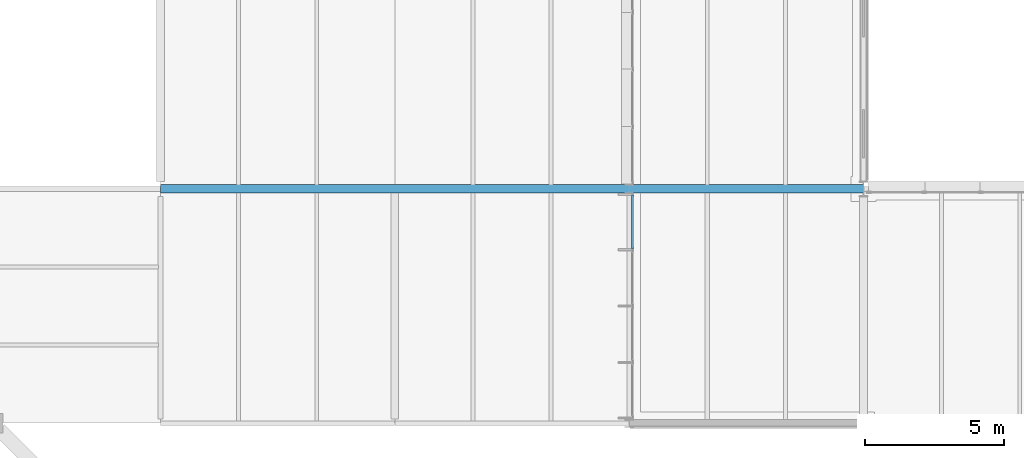
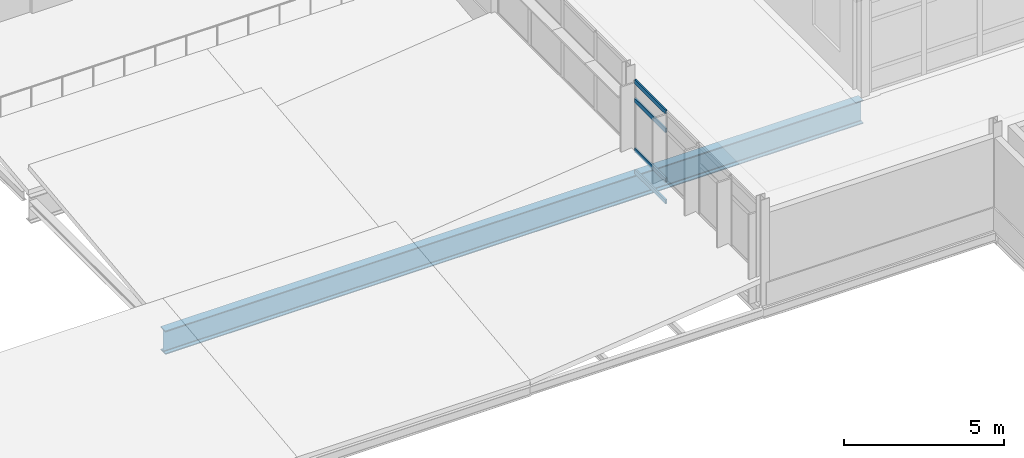
# One storey, part 22 of 131: 4 members, 1 beam, 1 element without a shape of its own.
"""IFC4 building model written with IfcOpenShell, lengths in metres."""

from ifc_helpers import new_model, si_unit, direction, frame, origin, origin_2d, place, context, subcontext, project, spatial, hollow_rectangle, i_section, extrude, material, material_profile, profile_set, type_object, element, aggregate, save


model = new_model("IFC4")

# Units and contexts
model_context = context("Model", 3, precision=1e-05, world=origin(), true_north=direction((0.0, 1.0)))
body_context = subcontext(model_context, "Body", "Model", "MODEL_VIEW")
ifc_project = project(units=[si_unit("LENGTHUNIT", "METRE"), si_unit("AREAUNIT", "SQUARE_METRE"), si_unit("VOLUMEUNIT", "CUBIC_METRE"), si_unit("PLANEANGLEUNIT", "RADIAN"), si_unit("MASSUNIT", "GRAM", prefix="KILO")], contexts=[model_context])

# Site, building, storey
site_placement = place(None, origin())
site = spatial("IfcSite", under=ifc_project, at=site_placement, CompositionType="ELEMENT")
building_placement = place(site_placement, origin())
building = spatial("IfcBuilding", under=site, at=building_placement, Name="Mersafa Astral City Hall", CompositionType="ELEMENT")
storey_placement = place(building_placement, frame((0.0, 0.0, 13.949951171875)))
storey = spatial("IfcBuildingStorey", under=building, at=storey_placement, Name="L03", CompositionType="ELEMENT", Elevation=13.949951171875)

# Curtain wall, members
ifc_material_1 = material(Name="Anodised bronze aluminium framing", Category="aluminium")
curtain_wall_type = type_object("IfcCurtainWallType", Name="ENV-CW-5", PredefinedType="USERDEFINED", material=ifc_material_1)
curtain_wall_placement = place(storey_placement, origin())
curtain_wall = element("IfcCurtainWall", 1, at=curtain_wall_placement, inside=storey, type_object=curtain_wall_type, Name="L03 Unitised solar curtain wall 148", ObjectType="UNITISED CURTAIN WALL", PredefinedType="USERDEFINED")
ifc_material_profile_1 = material_profile(ifc_material_1, hollow_rectangle(XDim=0.06005859375, YDim=0.159912109375, WallThickness=0.00390625, at=origin_2d()), Name="RHS 60x160x4")
ifc_profile_set_1 = profile_set([ifc_material_profile_1], Name="Anodised bronze aluminium framing")
member_type = type_object("IfcMemberType", Name="ENV-CW-TRN-2", PredefinedType="USERDEFINED", material=ifc_profile_set_1)
member_1_placement = place(storey_placement, frame((109.320068359375, 33.3779296875, 0.028076171875), z_axis=(0.0, -1.0, 0.0), x_axis=(1.0, 0.0, 0.0)))
member_1 = element("IfcMember", 2, at=member_1_placement, type_object=member_type, Name="CW-5 transom 1.1", ObjectType="TRANSOM", PredefinedType="USERDEFINED", context=body_context, shape_type="SweptSolid", body=[
    extrude(hollow_rectangle(XDim=0.06005859375, YDim=0.159912109375, WallThickness=0.00390625, at=origin_2d()), origin(), (0.0, 0.0, 1.0), 1.928955078125),
])
member_2_placement = place(storey_placement, frame((109.320068359375, 33.3779296875, 0.85009765625), z_axis=(0.0, -1.0, 0.0), x_axis=(1.0, 0.0, 0.0)))
member_2 = element("IfcMember", 3, at=member_2_placement, type_object=member_type, Name="CW-5 transom 1.2", ObjectType="TRANSOM", PredefinedType="USERDEFINED", context=body_context, shape_type="SweptSolid", body=[
    extrude(hollow_rectangle(XDim=0.06005859375, YDim=0.159912109375, WallThickness=0.00390625, at=origin_2d()), origin(), (0.0, 0.0, 1.0), 1.928955078125),
])
member_3_placement = place(storey_placement, frame((109.320068359375, 33.3779296875, 2.75), z_axis=(0.0, -1.0, 0.0), x_axis=(1.0, 0.0, 0.0)))
member_3 = element("IfcMember", 4, at=member_3_placement, type_object=member_type, Name="CW-5 transom 1.3", ObjectType="TRANSOM", PredefinedType="USERDEFINED", context=body_context, shape_type="SweptSolid", body=[
    extrude(hollow_rectangle(XDim=0.06005859375, YDim=0.159912109375, WallThickness=0.00390625, at=origin_2d()), origin(), (0.0, 0.0, 1.0), 1.928955078125),
])
member_4_placement = place(storey_placement, frame((109.320068359375, 33.3779296875, 3.45703125), z_axis=(0.0, -1.0, 0.0), x_axis=(1.0, 0.0, 0.0)))
member_4 = element("IfcMember", 5, at=member_4_placement, type_object=member_type, Name="CW-5 transom 1.4", ObjectType="TRANSOM", PredefinedType="USERDEFINED", context=body_context, shape_type="SweptSolid", body=[
    extrude(hollow_rectangle(XDim=0.06005859375, YDim=0.159912109375, WallThickness=0.00390625, at=origin_2d()), origin(), (0.0, 0.0, 1.0), 1.928955078125),
])
aggregate(curtain_wall, [member_1, member_2, member_3, member_4])

# Beam
ifc_material_2 = material(Name="Steel S355", Category="steel")
ifc_material_profile_2 = material_profile(ifc_material_2, i_section(OverallWidth=0.300048828125, OverallDepth=0.89990234375, WebThickness=0.0185546875, FlangeThickness=0.034912109375, FilletRadius=0.030029296875, at=origin_2d()), Name="HEB 900")
ifc_profile_set_2 = profile_set([ifc_material_profile_2], Name="Steel S355")
beam_type = type_object("IfcBeamType", Name="STR-BM-HEB900", PredefinedType="BEAM", material=ifc_profile_set_2)
beam_placement = place(storey_placement, frame((92.403076171875, 33.60009765625, -0.64990234375), z_axis=(1.0, 0.0, 0.0), x_axis=(0.0, 1.0, 0.0)))
element("IfcBeam", 6, at=beam_placement, inside=storey, type_object=beam_type, Name="L03 Public Service Hall clear-span portal girder 4", PredefinedType="BEAM", context=body_context, shape_type="SweptSolid", body=[
    extrude(i_section(OverallWidth=0.300048828125, OverallDepth=0.89990234375, WebThickness=0.0185546875, FlangeThickness=0.034912109375, FilletRadius=0.030029296875, at=origin_2d()), origin(), (0.0, 0.0, 1.0), 25.19384765625),
])

save(model, "model.ifc")
